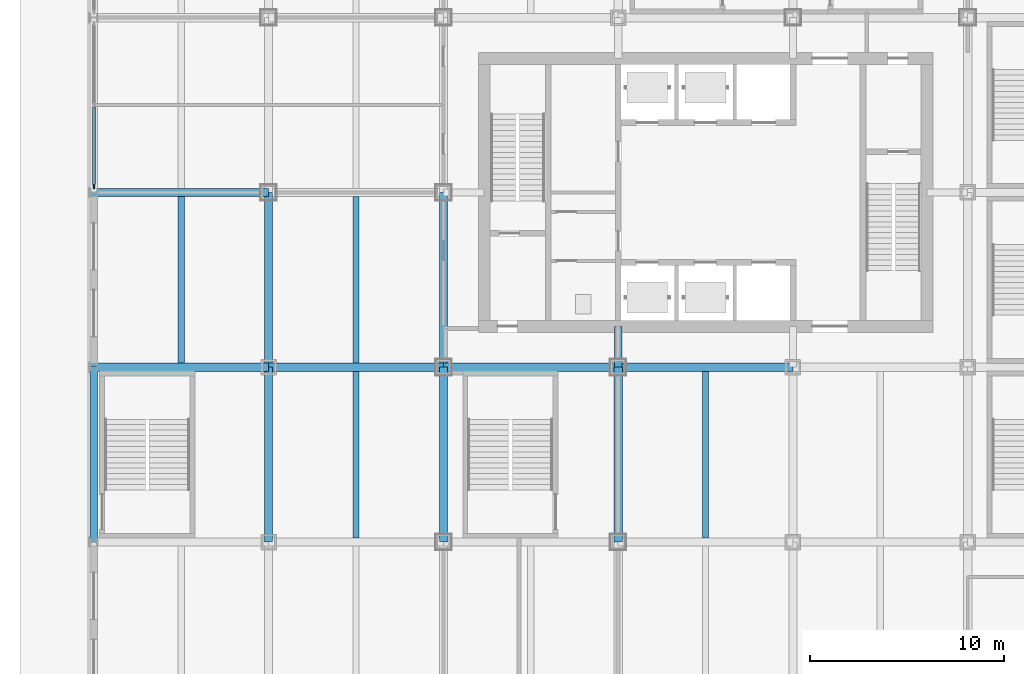
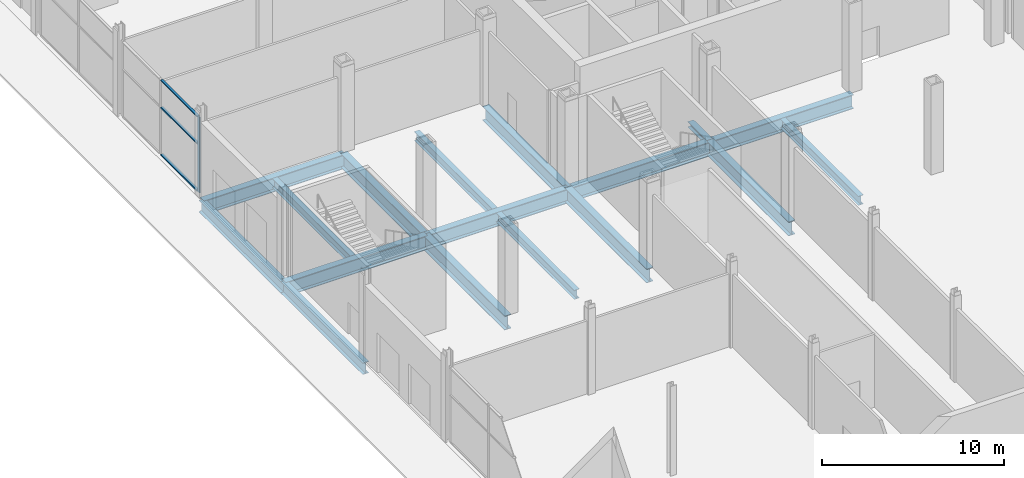
# One storey, part 9 of 34: 16 beams, 5 members, 1 element without a shape of its own.
"""IFC4 building model written with IfcOpenShell, lengths in metres."""

from ifc_helpers import new_model, si_unit, direction, frame, origin, origin_2d, place, context, subcontext, project, spatial, rectangle, i_section, extrude, material, material_profile, profile_set, type_object, element, aggregate, save


model = new_model("IFC4")

# Units and contexts
model_context = context("Model", 3, precision=1e-05, world=origin(), true_north=direction((0.0, 1.0)))
body_context = subcontext(model_context, "Body", "Model", "MODEL_VIEW")
ifc_project = project(units=[si_unit("LENGTHUNIT", "METRE"), si_unit("AREAUNIT", "SQUARE_METRE"), si_unit("VOLUMEUNIT", "CUBIC_METRE"), si_unit("PLANEANGLEUNIT", "RADIAN"), si_unit("MASSUNIT", "GRAM", prefix="KILO")], contexts=[model_context])

# Site, building, storey
site_placement = place(None, origin())
site = spatial("IfcSite", under=ifc_project, at=site_placement, CompositionType="ELEMENT")
building_placement = place(site_placement, origin())
building = spatial("IfcBuilding", under=site, at=building_placement, Name="Loomwork Tower", CompositionType="ELEMENT")
storey_placement = place(building_placement, origin())
storey = spatial("IfcBuildingStorey", under=building, at=storey_placement, Name="L00", CompositionType="ELEMENT", Elevation=0.0)

# Member
ifc_material_1 = material(Name="Steel ASTM A992", Category="steel")
ifc_material_profile_1 = material_profile(ifc_material_1, i_section(OverallWidth=0.373291015625, OverallDepth=0.373291015625, WebThickness=0.016357421875, FlangeThickness=0.026123046875, at=origin_2d()), Name="W14x132")
ifc_profile_set_1 = profile_set([ifc_material_profile_1], Name="Steel ASTM A992")
member_type_1 = type_object("IfcMemberType", Name="CORE LINK STRUT W14x132", PredefinedType="STRUT", material=ifc_profile_set_1)
member_1_placement = place(storey_placement, frame((18.0, 9.0, -0.486572265625), z_axis=(0.0, 1.0, 0.0), x_axis=(-1.0, 0.0, 0.0)))
element("IfcMember", 1, at=member_1_placement, inside=storey, type_object=member_type_1, Name="Core link strut E/4-18.000,11.100 L00", PredefinedType="STRUT", context=body_context, shape_type="SweptSolid", body=[
    extrude(i_section(OverallWidth=0.373291015625, OverallDepth=0.373291015625, WebThickness=0.016357421875, FlangeThickness=0.026123046875, at=origin_2d()), origin(), (0.0, 0.0, 1.0), 2.10009765625),
])

# Beams
ifc_material_2 = material(Name="Steel ASTM A992", Category="steel")
ifc_material_profile_2 = material_profile(ifc_material_2, i_section(OverallWidth=0.381103515625, OverallDepth=0.77978515625, WebThickness=0.01806640625, FlangeThickness=0.0302734375, at=origin_2d()), Name="W30x191")
ifc_profile_set_2 = profile_set([ifc_material_profile_2], Name="Steel ASTM A992")
beam_type_1 = type_object("IfcBeamType", Name="EDGE GIRDER W30x191", PredefinedType="BEAM", material=ifc_profile_set_2)
for number, where, z_axis, x_axis, name in (
    (2, (-9.0, 0.0, -0.68994140625), (0.0, 1.0, 0.0), (-1.0, 0.0, 0.0), "Edge Girder D/1-E/1 L00"),
    (3, (-9.0, 9.0, -0.68994140625), (0.0, 1.0, 0.0), (-1.0, 0.0, 0.0), "Edge Girder E/1-F/1 L00"),
):
    element("IfcBeam", number, at=place(storey_placement, frame(where, z_axis=z_axis, x_axis=x_axis)), inside=storey, type_object=beam_type_1, Name=name, PredefinedType="BEAM", context=body_context, shape_type="SweptSolid", body=[
        extrude(i_section(OverallWidth=0.381103515625, OverallDepth=0.77978515625, WebThickness=0.01806640625, FlangeThickness=0.0302734375, at=origin_2d()), origin(), (0.0, 0.0, 1.0), 9.0),
    ])
ifc_material_3 = material(Name="Steel ASTM A992", Category="steel")
ifc_material_profile_3 = material_profile(ifc_material_3, i_section(OverallWidth=0.3251953125, OverallDepth=0.612060546875, WebThickness=0.0126953125, FlangeThickness=0.01904296875, at=origin_2d()), Name="W24x104")
ifc_profile_set_3 = profile_set([ifc_material_profile_3], Name="Steel ASTM A992")
beam_type_2 = type_object("IfcBeamType", Name="FLOOR JOIST W24x104", PredefinedType="JOIST", material=ifc_profile_set_3)
for number, where, z_axis, x_axis, name in (
    (4, (-4.5, 9.2119140625, -0.60595703125), (0.0, 1.0, 0.0), (-1.0, 0.0, 0.0), "Floor Joist -4.500,9.000--4.500,18.000 L00"),
    (5, (4.5, 0.2119140625, -0.60595703125), (0.0, 1.0, 0.0), (-1.0, 0.0, 0.0), "Floor Joist 4.500,0.000-4.500,9.000 L00"),
    (6, (4.5, 9.2119140625, -0.60595703125), (0.0, 1.0, 0.0), (-1.0, 0.0, 0.0), "Floor Joist 4.500,9.000-4.500,18.000 L00"),
    (7, (22.5, 0.2119140625, -0.60595703125), (0.0, 1.0, 0.0), (-1.0, 0.0, 0.0), "Floor Joist 22.500,0.000-22.500,9.000 L00"),
):
    element("IfcBeam", number, at=place(storey_placement, frame(where, z_axis=z_axis, x_axis=x_axis)), inside=storey, type_object=beam_type_2, Name=name, PredefinedType="JOIST", context=body_context, shape_type="SweptSolid", body=[
        extrude(i_section(OverallWidth=0.3251953125, OverallDepth=0.612060546875, WebThickness=0.0126953125, FlangeThickness=0.01904296875, at=origin_2d()), origin(), (0.0, 0.0, 1.0), 8.576171875),
    ])

# Curtain wall, members
ifc_material_4 = material(Name="Aluminium storefront frame", Category="aluminium")
curtain_wall_type = type_object("IfcCurtainWallType", Name="Storefront glazing", PredefinedType="NOTDEFINED", material=ifc_material_4)
curtain_wall_placement = place(storey_placement, origin())
curtain_wall = element("IfcCurtainWall", 8, at=curtain_wall_placement, inside=storey, type_object=curtain_wall_type, Name="Storefront glazing cw/W-18", PredefinedType="NOTDEFINED")
ifc_material_5 = material(Name="Aluminium storefront frame", Category="aluminium")
ifc_material_profile_4 = material_profile(ifc_material_5, rectangle(XDim=0.074951171875, YDim=0.199951171875, at=origin_2d()), Name="AL 75x200")
ifc_profile_set_4 = profile_set([ifc_material_profile_4], Name="Aluminium storefront frame")
member_type_2 = type_object("IfcMemberType", Name="Storefront glazing mullion", PredefinedType="MULLION", material=ifc_profile_set_4)
member_2_placement = place(storey_placement, frame((-9.0, 18.30078125, 0.0), z_axis=(0.0, 0.0, 1.0), x_axis=(1.0, 0.0, 0.0)))
member_2 = element("IfcMember", 9, at=member_2_placement, type_object=member_type_2, Name="CW7 mullion 3", PredefinedType="MULLION", context=body_context, shape_type="SweptSolid", body=[
    extrude(rectangle(XDim=0.074951171875, YDim=0.199951171875, at=origin_2d()), origin(), (0.0, 0.0, 1.0), 5.053955078125),
])
ifc_material_6 = material(Name="Aluminium storefront frame", Category="aluminium")
ifc_material_profile_5 = material_profile(ifc_material_6, rectangle(XDim=0.14990234375, YDim=0.074951171875, at=origin_2d()), Name="AL 75x150")
ifc_profile_set_5 = profile_set([ifc_material_profile_5], Name="Aluminium storefront frame")
member_type_3 = type_object("IfcMemberType", Name="Storefront glazing transom", PredefinedType="USERDEFINED", material=ifc_profile_set_5)
member_3_placement = place(storey_placement, frame((-9.0, 22.39990234375, 0.03759765625), z_axis=(0.0, -1.0, 0.0), x_axis=(1.0, 0.0, 0.0)))
member_3 = element("IfcMember", 10, at=member_3_placement, type_object=member_type_3, Name="CW7 transom 2.1", ObjectType="TRANSOM", PredefinedType="USERDEFINED", context=body_context, shape_type="SweptSolid", body=[
    extrude(rectangle(XDim=0.14990234375, YDim=0.074951171875, at=origin_2d()), origin(), (0.0, 0.0, 1.0), 3.999267578125),
])
member_4_placement = place(storey_placement, frame((-9.0, 22.39990234375, 3.199951171875), z_axis=(0.0, -1.0, 0.0), x_axis=(1.0, 0.0, 0.0)))
member_4 = element("IfcMember", 11, at=member_4_placement, type_object=member_type_3, Name="CW7 transom 2.2", ObjectType="TRANSOM", PredefinedType="USERDEFINED", context=body_context, shape_type="SweptSolid", body=[
    extrude(rectangle(XDim=0.14990234375, YDim=0.074951171875, at=origin_2d()), origin(), (0.0, 0.0, 1.0), 3.999267578125),
])
member_5_placement = place(storey_placement, frame((-9.0, 22.39990234375, 5.0166015625), z_axis=(0.0, -1.0, 0.0), x_axis=(1.0, 0.0, 0.0)))
member_5 = element("IfcMember", 12, at=member_5_placement, type_object=member_type_3, Name="CW7 transom 2.3", ObjectType="TRANSOM", PredefinedType="USERDEFINED", context=body_context, shape_type="SweptSolid", body=[
    extrude(rectangle(XDim=0.14990234375, YDim=0.074951171875, at=origin_2d()), origin(), (0.0, 0.0, 1.0), 3.999267578125),
])
aggregate(curtain_wall, [member_2, member_3, member_4, member_5])

# Beams
ifc_material_7 = material(Name="Steel ASTM A992", Category="steel")
ifc_material_profile_6 = material_profile(ifc_material_7, i_section(OverallWidth=0.424072265625, OverallDepth=0.947509765625, WebThickness=0.02392578125, FlangeThickness=0.042724609375, at=origin_2d()), Name="W36x302")
ifc_profile_set_6 = profile_set([ifc_material_profile_6], Name="Steel ASTM A992")
beam_type_3 = type_object("IfcBeamType", Name="TRANSFER FLOOR GIRDER W36x302", PredefinedType="BEAM", material=ifc_profile_set_6)
for number, where, z_axis, x_axis, name in (
    (13, (-9.0, 9.0, -0.773681640625), (1.0, 0.0, 0.0), (0.0, 1.0, 0.0), "Transfer Floor Girder E/1-E/2 L00"),
    (14, (0.0, 9.0, -0.773681640625), (1.0, 0.0, 0.0), (0.0, 1.0, 0.0), "Transfer Floor Girder E/2-E/3 L00"),
    (15, (9.0, 9.0, -0.773681640625), (1.0, 0.0, 0.0), (0.0, 1.0, 0.0), "Transfer Floor Girder E/3-E/4 L00"),
    (16, (18.0, 9.0, -0.773681640625), (1.0, 0.0, 0.0), (0.0, 1.0, 0.0), "Transfer Floor Girder E/4-E/5 L00"),
    (17, (-9.0, 18.0, -0.773681640625), (1.0, 0.0, 0.0), (0.0, 1.0, 0.0), "Transfer Floor Girder F/1-F/2 L00"),
    (18, (0.0, 0.0, -0.773681640625), (0.0, 1.0, 0.0), (-1.0, 0.0, 0.0), "Transfer Floor Girder D/2-E/2 L00"),
    (19, (0.0, 9.0, -0.773681640625), (0.0, 1.0, 0.0), (-1.0, 0.0, 0.0), "Transfer Floor Girder E/2-F/2 L00"),
    (20, (9.0, 0.0, -0.773681640625), (0.0, 1.0, 0.0), (-1.0, 0.0, 0.0), "Transfer Floor Girder D/3-E/3 L00"),
    (21, (9.0, 9.0, -0.773681640625), (0.0, 1.0, 0.0), (-1.0, 0.0, 0.0), "Transfer Floor Girder E/3-F/3 L00"),
    (22, (18.0, 0.0, -0.773681640625), (0.0, 1.0, 0.0), (-1.0, 0.0, 0.0), "Transfer Floor Girder D/4-E/4 L00"),
):
    element("IfcBeam", number, at=place(storey_placement, frame(where, z_axis=z_axis, x_axis=x_axis)), inside=storey, type_object=beam_type_3, Name=name, PredefinedType="BEAM", context=body_context, shape_type="SweptSolid", body=[
        extrude(i_section(OverallWidth=0.424072265625, OverallDepth=0.947509765625, WebThickness=0.02392578125, FlangeThickness=0.042724609375, at=origin_2d()), origin(), (0.0, 0.0, 1.0), 9.0),
    ])

save(model, "model.ifc")
